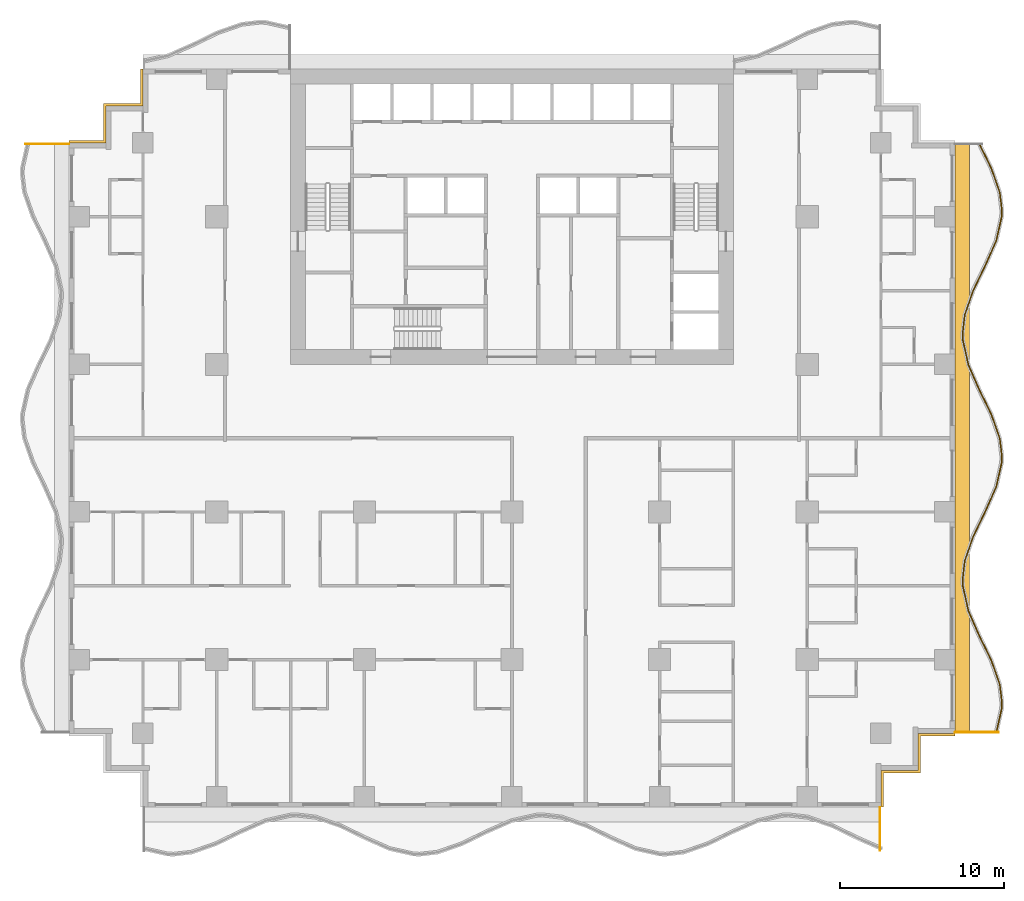
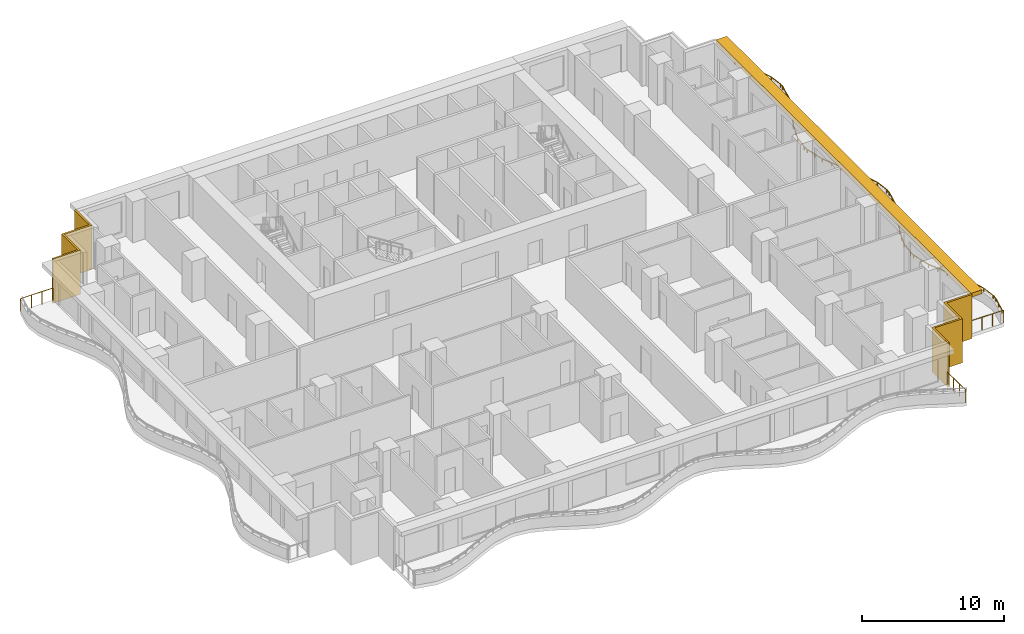
# One storey, part 11 of 14: 4 railings, 3 shading devices.
"""IFC4 building model written with IfcOpenShell, lengths in metres."""

from ifc_helpers import new_model, si_unit, direction, frame, origin, origin_2d, place, context, subcontext, project, spatial, polyline, rectangle, outline, extrude, material, layer, layer_set, type_object, element, save


model = new_model("IFC4")

# Units and contexts
model_context = context("Model", 3, precision=1e-05, world=origin(), true_north=direction((0.0, 1.0)))
body_context = subcontext(model_context, "Body", "Model", "MODEL_VIEW")
ifc_project = project(units=[si_unit("LENGTHUNIT", "METRE"), si_unit("AREAUNIT", "SQUARE_METRE"), si_unit("VOLUMEUNIT", "CUBIC_METRE"), si_unit("PLANEANGLEUNIT", "RADIAN"), si_unit("MASSUNIT", "GRAM", prefix="KILO")], contexts=[model_context])

# Site, building, storey
site_placement = place(None, origin())
site = spatial("IfcSite", under=ifc_project, at=site_placement, CompositionType="ELEMENT")
building_placement = place(site_placement, origin())
building = spatial("IfcBuilding", under=site, at=building_placement, Name="Orbiselva Terraces", CompositionType="ELEMENT")
storey_placement = place(building_placement, frame((0.0, 0.0, 111.2)))
storey = spatial("IfcBuildingStorey", under=building, at=storey_placement, Name="L28", CompositionType="ELEMENT", Elevation=111.2)

# Railings
ifc_material_1 = material(Name="Bonded two-ply safety glass balustrade, stainless steel posts", Category="steel")
railing_type_1 = type_object("IfcRailingType", Name="ENV-BALUSTRADE-1200", PredefinedType="BALUSTRADE", material=ifc_material_1)
railing_1_placement = place(storey_placement, frame((29.526563, -17.972623, 0.9)))
element("IfcRailing", 1, at=railing_1_placement, inside=storey, type_object=railing_type_1, Name="Balcony balustrade L28 E", PredefinedType="BALUSTRADE", context=body_context, shape_type="SweptSolid", body=[
    extrude(outline(polyline([(0.028868, 0.0), (0.014434, 0.025), (-0.014434, 0.025), (-0.028868, 0.0), (-0.014434, -0.025), (0.014434, -0.025), (0.028868, 0.0)])), frame((0.0, 0.0, 0.275), z_axis=(0.21901575501, 0.975721322437, 0.0), x_axis=(-0.975721322437, 0.21901575501, 0.0)), (0.0, 0.0, 1.0), 1.525954),
    extrude(outline(polyline([(0.028868, 0.0), (0.014434, 0.025), (-0.014434, 0.025), (-0.028868, 0.0), (-0.014434, -0.025), (0.014434, -0.025), (0.028868, 0.0)])), frame((0.334208, 1.488906, 0.275), z_axis=(0.039364150694, 0.999224931454, 0.0), x_axis=(-0.999224931454, 0.039364150694, 0.0)), (0.0, 0.0, 1.0), 0.354206),
    extrude(outline(polyline([(0.028868, 0.0), (0.014434, 0.025), (-0.014434, 0.025), (-0.028868, 0.0), (-0.014434, -0.025), (0.014434, -0.025), (0.028868, 0.0)])), frame((0.348151, 1.842837, 0.275), z_axis=(-0.115481264762, 0.993309658409, 0.0), x_axis=(-0.993309658409, -0.115481264762, 0.0)), (0.0, 0.0, 1.0), 1.10902),
    extrude(outline(polyline([(0.028868, 0.0), (0.014434, 0.025), (-0.014434, 0.025), (-0.028868, 0.0), (-0.014434, -0.025), (0.014434, -0.025), (0.028868, 0.0)])), frame((0.22008, 2.944437, 0.275), z_axis=(-0.330024754707, 0.943972277814, 0.0), x_axis=(-0.943972277814, -0.330024754707, 0.0)), (0.0, 0.0, 1.0), 1.567807),
    extrude(outline(polyline([(0.028868, 0.0), (0.014434, 0.025), (-0.014434, 0.025), (-0.028868, 0.0), (-0.014434, -0.025), (0.014434, -0.025), (0.028868, 0.0)])), frame((-0.297335, 4.424403, 0.275), z_axis=(-0.438811978768, 0.89857890432, 0.0), x_axis=(-0.89857890432, -0.438811978768, 0.0)), (0.0, 0.0, 1.0), 1.66438),
    extrude(outline(polyline([(0.028868, 0.0), (0.014434, 0.025), (-0.014434, 0.025), (-0.028868, 0.0), (-0.014434, -0.025), (0.014434, -0.025), (0.028868, 0.0)])), frame((-1.027685, 5.91998, 0.275), z_axis=(-0.403150874148, 0.915133527237, 0.0), x_axis=(-0.915133527237, -0.403150874148, 0.0)), (0.0, 0.0, 1.0), 1.653736),
    extrude(outline(polyline([(0.028868, 0.0), (0.014434, 0.025), (-0.014434, 0.025), (-0.028868, 0.0), (-0.014434, -0.025), (0.014434, -0.025), (0.028868, 0.0)])), frame((-1.69439, 7.433369, 0.275), z_axis=(-0.219015500924, 0.97572137947, 0.0), x_axis=(-0.97572137947, -0.219015500924, 0.0)), (0.0, 0.0, 1.0), 1.560867),
    extrude(outline(polyline([(0.028868, 0.0), (0.014434, 0.025), (-0.014434, 0.025), (-0.028868, 0.0), (-0.014434, -0.025), (0.014434, -0.025), (0.028868, 0.0)])), frame((-2.036244, 8.95634, 0.275), z_axis=(-0.03936915532, 0.999224734286, 0.0), x_axis=(-0.999224734286, -0.03936915532, 0.0)), (0.0, 0.0, 1.0), 0.396376),
    extrude(outline(polyline([(0.028868, 0.0), (0.014434, 0.025), (-0.014434, 0.025), (-0.028868, 0.0), (-0.014434, -0.025), (0.014434, -0.025), (0.028868, 0.0)])), frame((-2.051849, 9.352409, 0.275), z_axis=(0.115482182324, 0.993309551734, 0.0), x_axis=(-0.993309551734, 0.115482182324, 0.0)), (0.0, 0.0, 1.0), 1.156135),
    extrude(outline(polyline([(0.028868, 0.0), (0.014434, 0.025), (-0.014434, 0.025), (-0.028868, 0.0), (-0.014434, -0.025), (0.014434, -0.025), (0.028868, 0.0)])), frame((-1.918336, 10.500809, 0.275), z_axis=(0.330024597479, 0.943972332783, 0.0), x_axis=(-0.943972332783, 0.330024597479, 0.0)), (0.0, 0.0, 1.0), 1.610253),
    extrude(outline(polyline([(0.028868, 0.0), (0.014434, 0.025), (-0.014434, 0.025), (-0.028868, 0.0), (-0.014434, -0.025), (0.014434, -0.025), (0.028868, 0.0)])), frame((-1.386913, 12.020843, 0.275), z_axis=(0.438812048596, 0.898578870221, 0.0), x_axis=(-0.898578870221, 0.438812048596, 0.0)), (0.0, 0.0, 1.0), 1.674225),
    extrude(outline(polyline([(0.028868, 0.0), (0.014434, 0.025), (-0.014434, 0.025), (-0.028868, 0.0), (-0.014434, -0.025), (0.014434, -0.025), (0.028868, 0.0)])), frame((-0.652243, 13.525266, 0.275), z_axis=(0.403151245402, 0.915133363686, 0.0), x_axis=(-0.915133363686, 0.403151245402, 0.0)), (0.0, 0.0, 1.0), 1.624475),
    extrude(outline(polyline([(0.028868, 0.0), (0.014434, 0.025), (-0.014434, 0.025), (-0.028868, 0.0), (-0.014434, -0.025), (0.014434, -0.025), (0.028868, 0.0)])), frame((0.002666, 15.011877, 0.275), z_axis=(0.219015740235, 0.975721325753, 0.0), x_axis=(-0.975721325753, 0.219015740235, 0.0)), (0.0, 0.0, 1.0), 1.513782),
    extrude(outline(polyline([(0.028868, 0.0), (0.014434, 0.025), (-0.014434, 0.025), (-0.028868, 0.0), (-0.014434, -0.025), (0.014434, -0.025), (0.028868, 0.0)])), frame((0.334208, 16.488906, 0.275), z_axis=(0.039364150694, 0.999224931454, 0.0), x_axis=(-0.999224931454, 0.039364150694, 0.0)), (0.0, 0.0, 1.0), 0.354206),
    extrude(outline(polyline([(0.028868, 0.0), (0.014434, 0.025), (-0.014434, 0.025), (-0.028868, 0.0), (-0.014434, -0.025), (0.014434, -0.025), (0.028868, 0.0)])), frame((0.348151, 16.842837, 0.275), z_axis=(-0.115481264762, 0.993309658409, 0.0), x_axis=(-0.993309658409, -0.115481264762, 0.0)), (0.0, 0.0, 1.0), 1.10902),
    extrude(outline(polyline([(0.028868, 0.0), (0.014434, 0.025), (-0.014434, 0.025), (-0.028868, 0.0), (-0.014434, -0.025), (0.014434, -0.025), (0.028868, 0.0)])), frame((0.22008, 17.944437, 0.275), z_axis=(-0.330024754707, 0.943972277814, 0.0), x_axis=(-0.943972277814, -0.330024754707, 0.0)), (0.0, 0.0, 1.0), 1.567807),
    extrude(outline(polyline([(0.028868, 0.0), (0.014434, 0.025), (-0.014434, 0.025), (-0.028868, 0.0), (-0.014434, -0.025), (0.014434, -0.025), (0.028868, 0.0)])), frame((-0.297335, 19.424403, 0.275), z_axis=(-0.438811978768, 0.89857890432, 0.0), x_axis=(-0.89857890432, -0.438811978768, 0.0)), (0.0, 0.0, 1.0), 1.66438),
    extrude(outline(polyline([(0.028868, 0.0), (0.014434, 0.025), (-0.014434, 0.025), (-0.028868, 0.0), (-0.014434, -0.025), (0.014434, -0.025), (0.028868, 0.0)])), frame((-1.027685, 20.91998, 0.275), z_axis=(-0.403150874148, 0.915133527237, 0.0), x_axis=(-0.915133527237, -0.403150874148, 0.0)), (0.0, 0.0, 1.0), 1.653736),
    extrude(outline(polyline([(0.028868, 0.0), (0.014434, 0.025), (-0.014434, 0.025), (-0.028868, 0.0), (-0.014434, -0.025), (0.014434, -0.025), (0.028868, 0.0)])), frame((-1.69439, 22.433369, 0.275), z_axis=(-0.219015500924, 0.97572137947, 0.0), x_axis=(-0.97572137947, -0.219015500924, 0.0)), (0.0, 0.0, 1.0), 1.560867),
    extrude(outline(polyline([(0.028868, 0.0), (0.014434, 0.025), (-0.014434, 0.025), (-0.028868, 0.0), (-0.014434, -0.025), (0.014434, -0.025), (0.028868, 0.0)])), frame((-2.036244, 23.95634, 0.275), z_axis=(-0.03936915532, 0.999224734286, 0.0), x_axis=(-0.999224734286, -0.03936915532, 0.0)), (0.0, 0.0, 1.0), 0.396376),
    extrude(outline(polyline([(0.028868, 0.0), (0.014434, 0.025), (-0.014434, 0.025), (-0.028868, 0.0), (-0.014434, -0.025), (0.014434, -0.025), (0.028868, 0.0)])), frame((-2.051849, 24.352409, 0.275), z_axis=(0.115482182324, 0.993309551734, 0.0), x_axis=(-0.993309551734, 0.115482182324, 0.0)), (0.0, 0.0, 1.0), 1.156135),
    extrude(outline(polyline([(0.028868, 0.0), (0.014434, 0.025), (-0.014434, 0.025), (-0.028868, 0.0), (-0.014434, -0.025), (0.014434, -0.025), (0.028868, 0.0)])), frame((-1.918336, 25.500809, 0.275), z_axis=(0.330024597479, 0.943972332783, 0.0), x_axis=(-0.943972332783, 0.330024597479, 0.0)), (0.0, 0.0, 1.0), 1.610253),
    extrude(outline(polyline([(0.028868, 0.0), (0.014434, 0.025), (-0.014434, 0.025), (-0.028868, 0.0), (-0.014434, -0.025), (0.014434, -0.025), (0.028868, 0.0)])), frame((-1.386913, 27.020843, 0.275), z_axis=(0.438812048596, 0.898578870221, 0.0), x_axis=(-0.898578870221, 0.438812048596, 0.0)), (0.0, 0.0, 1.0), 1.674225),
    extrude(outline(polyline([(0.028868, 0.0), (0.014434, 0.025), (-0.014434, 0.025), (-0.028868, 0.0), (-0.014434, -0.025), (0.014434, -0.025), (0.028868, 0.0)])), frame((-0.652243, 28.525266, 0.275), z_axis=(0.403151245402, 0.915133363686, 0.0), x_axis=(-0.915133363686, 0.403151245402, 0.0)), (0.0, 0.0, 1.0), 1.624475),
    extrude(outline(polyline([(0.028868, 0.0), (0.014434, 0.025), (-0.014434, 0.025), (-0.028868, 0.0), (-0.014434, -0.025), (0.014434, -0.025), (0.028868, 0.0)])), frame((0.002666, 30.011877, 0.275), z_axis=(0.219015740235, 0.975721325753, 0.0), x_axis=(-0.975721325753, 0.219015740235, 0.0)), (0.0, 0.0, 1.0), 1.513782),
    extrude(outline(polyline([(0.028868, 0.0), (0.014434, 0.025), (-0.014434, 0.025), (-0.028868, 0.0), (-0.014434, -0.025), (0.014434, -0.025), (0.028868, 0.0)])), frame((0.334208, 31.488906, 0.275), z_axis=(0.039364150694, 0.999224931454, 0.0), x_axis=(-0.999224931454, 0.039364150694, 0.0)), (0.0, 0.0, 1.0), 0.354206),
    extrude(outline(polyline([(0.028868, 0.0), (0.014434, 0.025), (-0.014434, 0.025), (-0.028868, 0.0), (-0.014434, -0.025), (0.014434, -0.025), (0.028868, 0.0)])), frame((0.348151, 31.842837, 0.275), z_axis=(-0.115481264762, 0.993309658409, 0.0), x_axis=(-0.993309658409, -0.115481264762, 0.0)), (0.0, 0.0, 1.0), 1.10902),
    extrude(outline(polyline([(0.028868, 0.0), (0.014434, 0.025), (-0.014434, 0.025), (-0.028868, 0.0), (-0.014434, -0.025), (0.014434, -0.025), (0.028868, 0.0)])), frame((0.22008, 32.944437, 0.275), z_axis=(-0.330024754707, 0.943972277814, 0.0), x_axis=(-0.943972277814, -0.330024754707, 0.0)), (0.0, 0.0, 1.0), 1.567807),
    extrude(outline(polyline([(0.028868, 0.0), (0.014434, 0.025), (-0.014434, 0.025), (-0.028868, 0.0), (-0.014434, -0.025), (0.014434, -0.025), (0.028868, 0.0)])), frame((-0.297335, 34.424403, 0.275), z_axis=(-0.438811853882, 0.898578965307, 0.0), x_axis=(-0.898578965307, -0.438811853882, 0.0)), (0.0, 0.0, 1.0), 1.661922),
    extrude(rectangle(XDim=0.05, YDim=0.05, at=origin_2d()), origin(), (0.0, 0.0, 1.0), 0.25),
    extrude(rectangle(XDim=0.05, YDim=0.05, at=origin_2d()), frame((0.167104, 0.744453, 0.0)), (0.0, 0.0, 1.0), 0.25),
    extrude(rectangle(XDim=0.05, YDim=0.05, at=origin_2d()), frame((0.334208, 1.488906, 0.0)), (0.0, 0.0, 1.0), 0.25),
    extrude(rectangle(XDim=0.05, YDim=0.05, at=origin_2d()), frame((0.348151, 1.842837, 0.0)), (0.0, 0.0, 1.0), 0.25),
    extrude(rectangle(XDim=0.05, YDim=0.05, at=origin_2d()), frame((0.22008, 2.944437, 0.0)), (0.0, 0.0, 1.0), 0.25),
    extrude(rectangle(XDim=0.05, YDim=0.05, at=origin_2d()), frame((-0.038628, 3.68442, 0.0)), (0.0, 0.0, 1.0), 0.25),
    extrude(rectangle(XDim=0.05, YDim=0.05, at=origin_2d()), frame((-0.297335, 4.424403, 0.0)), (0.0, 0.0, 1.0), 0.25),
    extrude(rectangle(XDim=0.05, YDim=0.05, at=origin_2d()), frame((-0.66251, 5.172191, 0.0)), (0.0, 0.0, 1.0), 0.25),
    extrude(rectangle(XDim=0.05, YDim=0.05, at=origin_2d()), frame((-1.027685, 5.91998, 0.0)), (0.0, 0.0, 1.0), 0.25),
    extrude(rectangle(XDim=0.05, YDim=0.05, at=origin_2d()), frame((-1.361037, 6.676674, 0.0)), (0.0, 0.0, 1.0), 0.25),
    extrude(rectangle(XDim=0.05, YDim=0.05, at=origin_2d()), frame((-1.69439, 7.433369, 0.0)), (0.0, 0.0, 1.0), 0.25),
    extrude(rectangle(XDim=0.05, YDim=0.05, at=origin_2d()), frame((-1.865317, 8.194854, 0.0)), (0.0, 0.0, 1.0), 0.25),
    extrude(rectangle(XDim=0.05, YDim=0.05, at=origin_2d()), frame((-2.036244, 8.95634, 0.0)), (0.0, 0.0, 1.0), 0.25),
    extrude(rectangle(XDim=0.05, YDim=0.05, at=origin_2d()), frame((-2.051849, 9.352409, 0.0)), (0.0, 0.0, 1.0), 0.25),
    extrude(rectangle(XDim=0.05, YDim=0.05, at=origin_2d()), frame((-1.918336, 10.500809, 0.0)), (0.0, 0.0, 1.0), 0.25),
    extrude(rectangle(XDim=0.05, YDim=0.05, at=origin_2d()), frame((-1.652624, 11.260826, 0.0)), (0.0, 0.0, 1.0), 0.25),
    extrude(rectangle(XDim=0.05, YDim=0.05, at=origin_2d()), frame((-1.386913, 12.020843, 0.0)), (0.0, 0.0, 1.0), 0.25),
    extrude(rectangle(XDim=0.05, YDim=0.05, at=origin_2d()), frame((-1.019578, 12.773054, 0.0)), (0.0, 0.0, 1.0), 0.25),
    extrude(rectangle(XDim=0.05, YDim=0.05, at=origin_2d()), frame((-0.652243, 13.525266, 0.0)), (0.0, 0.0, 1.0), 0.25),
    extrude(rectangle(XDim=0.05, YDim=0.05, at=origin_2d()), frame((-0.324788, 14.268571, 0.0)), (0.0, 0.0, 1.0), 0.25),
    extrude(rectangle(XDim=0.05, YDim=0.05, at=origin_2d()), frame((0.002666, 15.011877, 0.0)), (0.0, 0.0, 1.0), 0.25),
    extrude(rectangle(XDim=0.05, YDim=0.05, at=origin_2d()), frame((0.168437, 15.750392, 0.0)), (0.0, 0.0, 1.0), 0.25),
    extrude(rectangle(XDim=0.05, YDim=0.05, at=origin_2d()), frame((0.334208, 16.488906, 0.0)), (0.0, 0.0, 1.0), 0.25),
    extrude(rectangle(XDim=0.05, YDim=0.05, at=origin_2d()), frame((0.348151, 16.842837, 0.0)), (0.0, 0.0, 1.0), 0.25),
    extrude(rectangle(XDim=0.05, YDim=0.05, at=origin_2d()), frame((0.22008, 17.944437, 0.0)), (0.0, 0.0, 1.0), 0.25),
    extrude(rectangle(XDim=0.05, YDim=0.05, at=origin_2d()), frame((-0.038628, 18.68442, 0.0)), (0.0, 0.0, 1.0), 0.25),
    extrude(rectangle(XDim=0.05, YDim=0.05, at=origin_2d()), frame((-0.297335, 19.424403, 0.0)), (0.0, 0.0, 1.0), 0.25),
    extrude(rectangle(XDim=0.05, YDim=0.05, at=origin_2d()), frame((-0.66251, 20.172191, 0.0)), (0.0, 0.0, 1.0), 0.25),
    extrude(rectangle(XDim=0.05, YDim=0.05, at=origin_2d()), frame((-1.027685, 20.91998, 0.0)), (0.0, 0.0, 1.0), 0.25),
    extrude(rectangle(XDim=0.05, YDim=0.05, at=origin_2d()), frame((-1.361037, 21.676674, 0.0)), (0.0, 0.0, 1.0), 0.25),
    extrude(rectangle(XDim=0.05, YDim=0.05, at=origin_2d()), frame((-1.69439, 22.433369, 0.0)), (0.0, 0.0, 1.0), 0.25),
    extrude(rectangle(XDim=0.05, YDim=0.05, at=origin_2d()), frame((-1.865317, 23.194854, 0.0)), (0.0, 0.0, 1.0), 0.25),
    extrude(rectangle(XDim=0.05, YDim=0.05, at=origin_2d()), frame((-2.036244, 23.95634, 0.0)), (0.0, 0.0, 1.0), 0.25),
    extrude(rectangle(XDim=0.05, YDim=0.05, at=origin_2d()), frame((-2.051849, 24.352409, 0.0)), (0.0, 0.0, 1.0), 0.25),
    extrude(rectangle(XDim=0.05, YDim=0.05, at=origin_2d()), frame((-1.918336, 25.500809, 0.0)), (0.0, 0.0, 1.0), 0.25),
    extrude(rectangle(XDim=0.05, YDim=0.05, at=origin_2d()), frame((-1.652624, 26.260826, 0.0)), (0.0, 0.0, 1.0), 0.25),
    extrude(rectangle(XDim=0.05, YDim=0.05, at=origin_2d()), frame((-1.386913, 27.020843, 0.0)), (0.0, 0.0, 1.0), 0.25),
    extrude(rectangle(XDim=0.05, YDim=0.05, at=origin_2d()), frame((-1.019578, 27.773054, 0.0)), (0.0, 0.0, 1.0), 0.25),
    extrude(rectangle(XDim=0.05, YDim=0.05, at=origin_2d()), frame((-0.652243, 28.525266, 0.0)), (0.0, 0.0, 1.0), 0.25),
    extrude(rectangle(XDim=0.05, YDim=0.05, at=origin_2d()), frame((-0.324788, 29.268572, 0.0)), (0.0, 0.0, 1.0), 0.25),
    extrude(rectangle(XDim=0.05, YDim=0.05, at=origin_2d()), frame((0.002666, 30.011877, 0.0)), (0.0, 0.0, 1.0), 0.25),
    extrude(rectangle(XDim=0.05, YDim=0.05, at=origin_2d()), frame((0.168437, 30.750392, 0.0)), (0.0, 0.0, 1.0), 0.25),
    extrude(rectangle(XDim=0.05, YDim=0.05, at=origin_2d()), frame((0.334208, 31.488906, 0.0)), (0.0, 0.0, 1.0), 0.25),
    extrude(rectangle(XDim=0.05, YDim=0.05, at=origin_2d()), frame((0.348151, 31.842837, 0.0)), (0.0, 0.0, 1.0), 0.25),
    extrude(rectangle(XDim=0.05, YDim=0.05, at=origin_2d()), frame((0.22008, 32.944437, 0.0)), (0.0, 0.0, 1.0), 0.25),
    extrude(rectangle(XDim=0.05, YDim=0.05, at=origin_2d()), frame((-0.038628, 33.68442, 0.0)), (0.0, 0.0, 1.0), 0.25),
    extrude(rectangle(XDim=0.05, YDim=0.05, at=origin_2d()), frame((-0.297335, 34.424403, 0.0)), (0.0, 0.0, 1.0), 0.25),
    extrude(rectangle(XDim=0.05, YDim=0.05, at=origin_2d()), frame((-0.661971, 35.171087, 0.0)), (0.0, 0.0, 1.0), 0.25),
    extrude(rectangle(XDim=0.05, YDim=0.05, at=origin_2d()), frame((-1.026606, 35.917771, 0.0)), (0.0, 0.0, 1.0), 0.25),
])
ifc_material_2 = material(Name="Stainless steel rail and posts", Category="steel")
railing_type_2 = type_object("IfcRailingType", Name="ENV-GUARD-1105", PredefinedType="BALUSTRADE", material=ifc_material_2)
railing_2_placement = place(storey_placement, frame((22.44, -25.126937, 0.0)))
element("IfcRailing", 2, at=railing_2_placement, inside=storey, type_object=railing_type_2, Name="Balcony end guard L28 S", PredefinedType="BALUSTRADE", context=body_context, shape_type="SweptSolid", body=[
    extrude(outline(polyline([(0.028868, 0.0), (0.014434, 0.025), (-0.014434, 0.025), (-0.028868, 0.0), (-0.014434, -0.025), (0.014434, -0.025), (0.028868, 0.0)])), frame((0.0, 0.0, 1.08), z_axis=(0.0, 1.0, 0.0), x_axis=(-1.0, 0.0, 0.0)), (0.0, 0.0, 1.0), 2.601937),
    extrude(rectangle(XDim=0.05, YDim=0.05, at=origin_2d()), origin(), (0.0, 0.0, 1.0), 1.055),
    extrude(rectangle(XDim=0.05, YDim=0.05, at=origin_2d()), frame((0.0, 0.867312, 0.0)), (0.0, 0.0, 1.0), 1.055),
    extrude(rectangle(XDim=0.05, YDim=0.05, at=origin_2d()), frame((0.0, 1.734625, 0.0)), (0.0, 0.0, 1.0), 1.055),
    extrude(rectangle(XDim=0.05, YDim=0.05, at=origin_2d()), frame((0.0, 2.601937, 0.0)), (0.0, 0.0, 1.0), 1.055),
])
railing_3_placement = place(storey_placement, frame((29.669584, -17.94, 0.0)))
element("IfcRailing", 3, at=railing_3_placement, inside=storey, type_object=railing_type_2, Name="Balcony end guard L28 E", PredefinedType="BALUSTRADE", context=body_context, shape_type="SweptSolid", body=[
    extrude(outline(polyline([(0.028868, 0.0), (0.014434, 0.025), (-0.014434, 0.025), (-0.028868, 0.0), (-0.014434, -0.025), (0.014434, -0.025), (0.028868, 0.0)])), frame((0.0, 0.0, 1.08), z_axis=(-1.0, 0.0, 0.0), x_axis=(0.0, -1.0, 0.0)), (0.0, 0.0, 1.0), 2.644584),
    extrude(rectangle(XDim=0.05, YDim=0.05, at=origin_2d()), origin(), (0.0, 0.0, 1.0), 1.055),
    extrude(rectangle(XDim=0.05, YDim=0.05, at=origin_2d()), frame((-0.881528, 0.0, 0.0)), (0.0, 0.0, 1.0), 1.055),
    extrude(rectangle(XDim=0.05, YDim=0.05, at=origin_2d()), frame((-1.763056, 0.0, 0.0)), (0.0, 0.0, 1.0), 1.055),
    extrude(rectangle(XDim=0.05, YDim=0.05, at=origin_2d()), frame((-2.644584, 0.0, 0.0)), (0.0, 0.0, 1.0), 1.055),
])
railing_4_placement = place(storey_placement, frame((-29.669584, 17.94, 0.0)))
element("IfcRailing", 4, at=railing_4_placement, inside=storey, type_object=railing_type_2, Name="Balcony end guard L28 W", PredefinedType="BALUSTRADE", context=body_context, shape_type="SweptSolid", body=[
    extrude(outline(polyline([(0.028868, 0.0), (0.014434, 0.025), (-0.014434, 0.025), (-0.028868, 0.0), (-0.014434, -0.025), (0.014434, -0.025), (0.028868, 0.0)])), frame((0.0, 0.0, 1.08), z_axis=(1.0, 0.0, 0.0), x_axis=(0.0, 1.0, 0.0)), (0.0, 0.0, 1.0), 2.644584),
    extrude(rectangle(XDim=0.05, YDim=0.05, at=origin_2d()), origin(), (0.0, 0.0, 1.0), 1.055),
    extrude(rectangle(XDim=0.05, YDim=0.05, at=origin_2d()), frame((0.881528, 0.0, 0.0)), (0.0, 0.0, 1.0), 1.055),
    extrude(rectangle(XDim=0.05, YDim=0.05, at=origin_2d()), frame((1.763056, 0.0, 0.0)), (0.0, 0.0, 1.0), 1.055),
    extrude(rectangle(XDim=0.05, YDim=0.05, at=origin_2d()), frame((2.644584, 0.0, 0.0)), (0.0, 0.0, 1.0), 1.055),
])

# Shading devices
ifc_material_3 = material(Name="Terracotta louvre screen", Category="masonry")
ifc_layer_1 = layer(ifc_material_3, 0.15)
ifc_layer_set_1 = layer_set([ifc_layer_1], Name="Terracotta louvre screen")
shading_device_type_1 = type_object("IfcShadingDeviceType", Name="ENV-SCREEN-150", PredefinedType="USERDEFINED", material=ifc_layer_set_1)
shading_device_1_placement = place(storey_placement, frame((0.0, 0.0, -0.3)))
element("IfcShadingDevice", 5, at=shading_device_1_placement, inside=storey, type_object=shading_device_type_1, Name="Louvre screen L28 NW", ObjectType="SCREEN", PredefinedType="USERDEFINED", context=body_context, shape_type="SweptSolid", body=[
    extrude(outline(polyline([(-22.65, 22.5), (-22.65, 20.4), (-24.9, 20.4), (-24.9, 18.15), (-27.0, 18.15), (-27.0, 18.0), (-24.75, 18.0), (-24.75, 20.25), (-22.5, 20.25), (-22.5, 22.5), (-22.65, 22.5)])), origin(), (0.0, 0.0, 1.0), 3.8),
])
shading_device_2_placement = place(storey_placement, frame((0.0, 0.0, -0.3)))
element("IfcShadingDevice", 6, at=shading_device_2_placement, inside=storey, type_object=shading_device_type_1, Name="Louvre screen L28 SE", ObjectType="SCREEN", PredefinedType="USERDEFINED", context=body_context, shape_type="SweptSolid", body=[
    extrude(outline(polyline([(22.65, -22.5), (22.65, -20.4), (24.9, -20.4), (24.9, -18.15), (27.0, -18.15), (27.0, -18.0), (24.75, -18.0), (24.75, -20.25), (22.5, -20.25), (22.5, -22.5), (22.65, -22.5)])), origin(), (0.0, 0.0, 1.0), 3.8),
])
ifc_material_4 = material(Name="Terracotta baguette sunshade", Category="masonry")
ifc_layer_2 = layer(ifc_material_4, 0.35)
ifc_layer_set_2 = layer_set([ifc_layer_2], Name="Terracotta baguette sunshade")
shading_device_type_2 = type_object("IfcShadingDeviceType", Name="ENV-SUNSHADE-900x350", PredefinedType="USERDEFINED", material=ifc_layer_set_2)
shading_device_3_placement = place(storey_placement, frame((0.0, 0.0, 3.15)))
element("IfcShadingDevice", 7, at=shading_device_3_placement, inside=storey, type_object=shading_device_type_2, Name="Sunshade band L28 E", ObjectType="SUNSHADE", PredefinedType="USERDEFINED", context=body_context, shape_type="SweptSolid", body=[
    extrude(outline(polyline([(27.9, -18.0), (27.9, 18.0), (27.0, 18.0), (27.0, -18.0), (27.9, -18.0)])), origin(), (0.0, 0.0, 1.0), 0.35),
])

save(model, "model.ifc")
